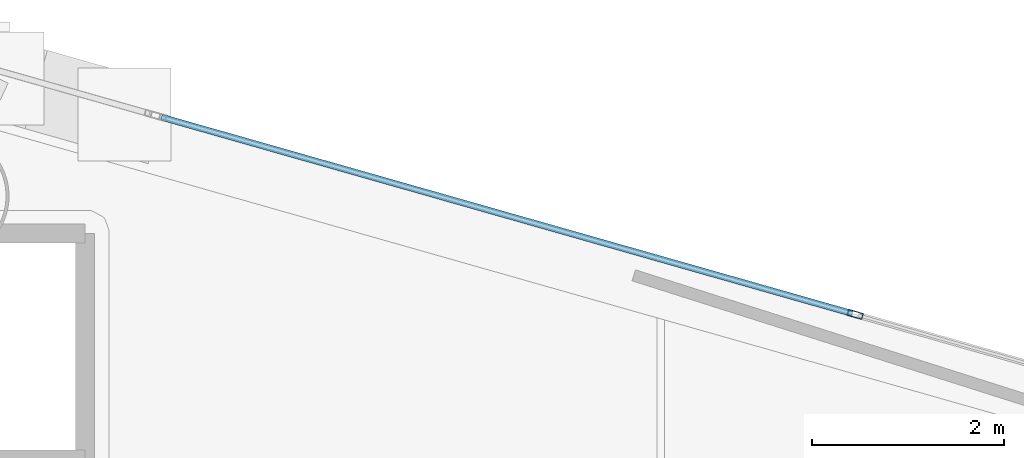
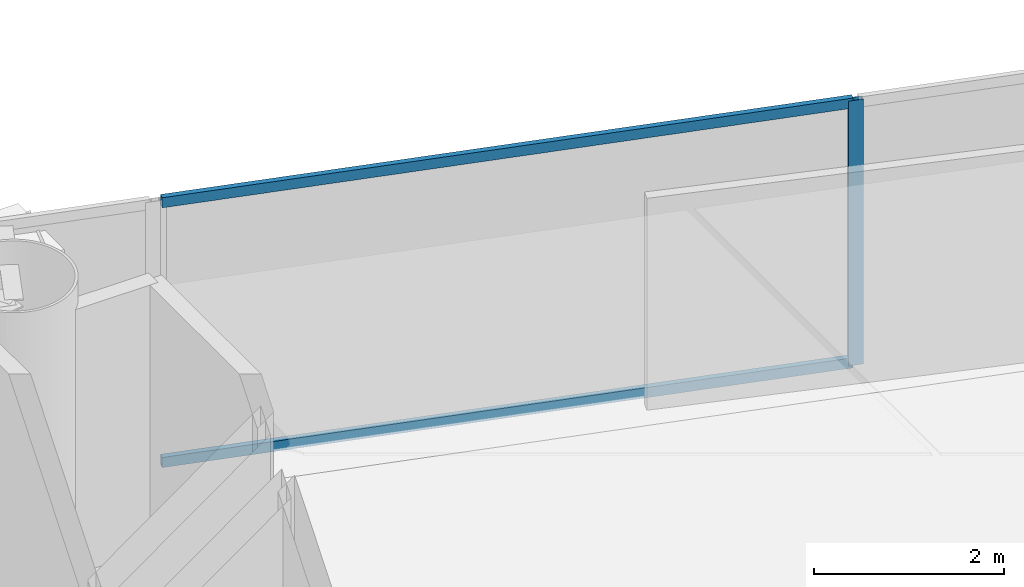
# One storey, part 14 of 22: 3 members, 1 element without a shape of its own.
"""IFC4 building model written with IfcOpenShell, lengths in metres."""

from ifc_helpers import new_model, si_unit, direction, frame, origin, origin_2d, place, context, subcontext, project, spatial, hollow_rectangle, extrude, material, layer, layer_set, material_profile, profile_set, type_object, element, aggregate, save


model = new_model("IFC4")

# Units and contexts
model_context = context("Model", 3, precision=1e-05, world=origin(), true_north=direction((0.0, 1.0)))
body_context = subcontext(model_context, "Body", "Model", "MODEL_VIEW")
ifc_project = project(units=[si_unit("LENGTHUNIT", "METRE"), si_unit("AREAUNIT", "SQUARE_METRE"), si_unit("VOLUMEUNIT", "CUBIC_METRE"), si_unit("PLANEANGLEUNIT", "RADIAN"), si_unit("MASSUNIT", "GRAM", prefix="KILO")], contexts=[model_context])

# Site, building, storey
site_placement = place(None, origin())
site = spatial("IfcSite", under=ifc_project, at=site_placement, CompositionType="ELEMENT")
building_placement = place(site_placement, origin())
building = spatial("IfcBuilding", under=site, at=building_placement, Name="Qianvela Tower", CompositionType="ELEMENT")
storey_placement = place(building_placement, frame((0.0, 0.0, 180.89990234375)))
storey = spatial("IfcBuildingStorey", under=building, at=storey_placement, Name="L46", CompositionType="ELEMENT", Elevation=180.89990234375)

# Curtain wall, members
ifc_material_1 = material(Name="Anodised Architectural Aluminium and Low-E Glass", Category="aluminium")
ifc_layer = layer(ifc_material_1, 0.169921875)
ifc_layer_set = layer_set([ifc_layer], Name="Anodised Architectural Aluminium and Low-E Glass")
curtain_wall_type = type_object("IfcCurtainWallType", Name="CW-COLIV-Z34", PredefinedType="USERDEFINED", material=ifc_layer_set)
curtain_wall_placement = place(storey_placement, origin())
curtain_wall = element("IfcCurtainWall", 1, at=curtain_wall_placement, inside=storey, type_object=curtain_wall_type, Name="L46 CW-COLIV-Z34 Curtain Wall 02A", ObjectType="CURTAIN_WALL_SYSTEM", PredefinedType="USERDEFINED")
ifc_material_2 = material(Name="Anodised Architectural Aluminium 6063-T6", Category="aluminium")
ifc_material_profile_1 = material_profile(ifc_material_2, hollow_rectangle(XDim=0.06494140625, YDim=0.159912109375, WallThickness=0.0048828125, at=origin_2d()), Name="ALU-MULL-65x160")
ifc_profile_set_1 = profile_set([ifc_material_profile_1], Name="Anodised Architectural Aluminium 6063-T6")
member_type_1 = type_object("IfcMemberType", Name="CW-COLIV-Z34-MULL", PredefinedType="MULLION", material=ifc_profile_set_1)
member_1_placement = place(storey_placement, frame((51.586181640625, 34.4345703125, 0.0), z_axis=(0.0, 0.0, 1.0), x_axis=(-0.273504561082, -0.961870706003, 0.0)))
member_1 = element("IfcMember", 2, at=member_1_placement, type_object=member_type_1, Name="CW-4 mullion 2", PredefinedType="MULLION", context=body_context, shape_type="SweptSolid", body=[
    extrude(hollow_rectangle(XDim=0.06494140625, YDim=0.159912109375, WallThickness=0.0048828125, at=origin_2d()), origin(), (0.0, 0.0, 1.0), 3.400146484375),
])
ifc_material_3 = material(Name="Anodised Architectural Aluminium 6063-T6", Category="aluminium")
ifc_material_profile_2 = material_profile(ifc_material_3, hollow_rectangle(XDim=0.06494140625, YDim=0.1298828125, WallThickness=0.00439453125, at=origin_2d()), Name="ALU-TRAN-65x130")
ifc_profile_set_2 = profile_set([ifc_material_profile_2], Name="Anodised Architectural Aluminium 6063-T6")
member_type_2 = type_object("IfcMemberType", Name="CW-COLIV-Z34-TRAN", PredefinedType="USERDEFINED", material=ifc_profile_set_2)
member_2_placement = place(storey_placement, frame((51.554931640625, 34.443603515625, 0.03271484375), z_axis=(-0.961878492866, 0.273477174479, 0.0), x_axis=(-0.273477174479, -0.961878492866, 0.0)))
member_2 = element("IfcMember", 3, at=member_2_placement, type_object=member_type_2, Name="CW-4 transom 2.1", ObjectType="TRANSOM", PredefinedType="USERDEFINED", context=body_context, shape_type="SweptSolid", body=[
    extrude(hollow_rectangle(XDim=0.06494140625, YDim=0.1298828125, WallThickness=0.00439453125, at=origin_2d()), origin(), (0.0, 0.0, 1.0), 7.49267578125),
])
member_3_placement = place(storey_placement, frame((51.554931640625, 34.443603515625, 3.36767578125), z_axis=(-0.961878492866, 0.273477174479, 0.0), x_axis=(-0.273477174479, -0.961878492866, 0.0)))
member_3 = element("IfcMember", 4, at=member_3_placement, type_object=member_type_2, Name="CW-4 transom 2.2", ObjectType="TRANSOM", PredefinedType="USERDEFINED", context=body_context, shape_type="SweptSolid", body=[
    extrude(hollow_rectangle(XDim=0.06494140625, YDim=0.1298828125, WallThickness=0.00439453125, at=origin_2d()), origin(), (0.0, 0.0, 1.0), 7.49267578125),
])
aggregate(curtain_wall, [member_1, member_2, member_3])

save(model, "model.ifc")
